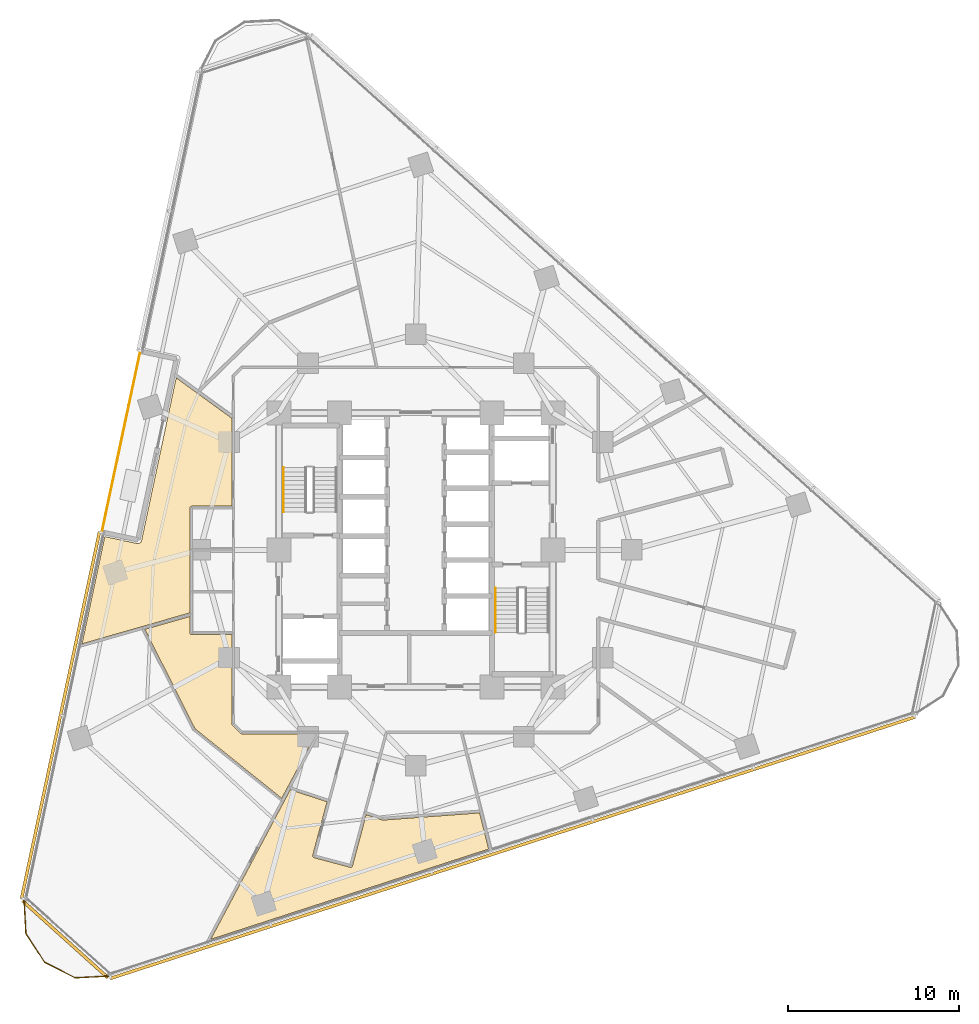
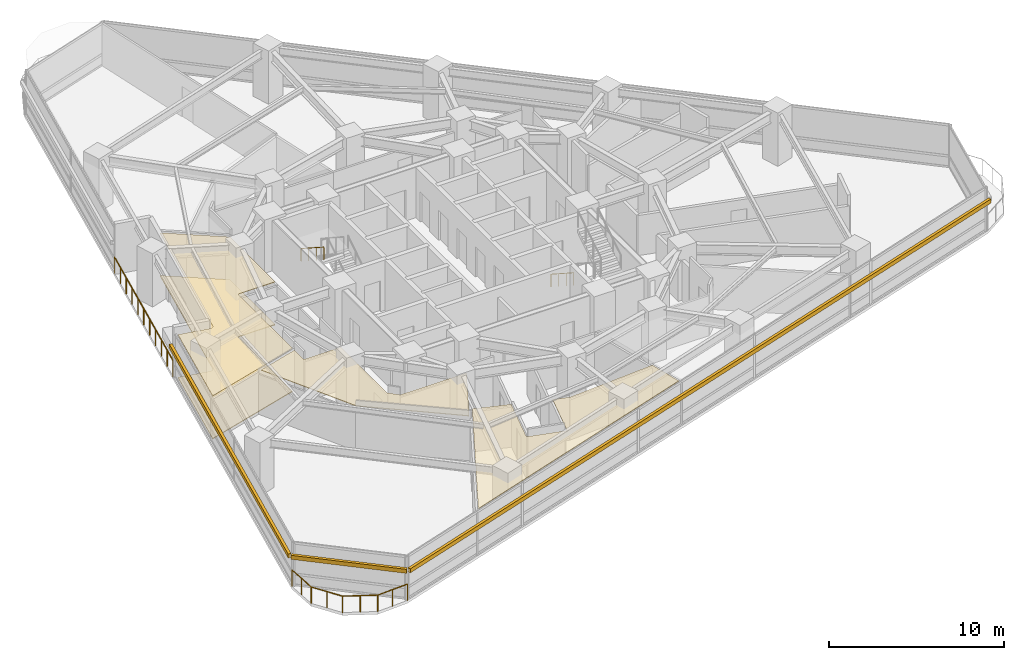
# One storey, part 12 of 14: 4 coverings, 4 railings, 3 shading devices.
"""IFC4 building model written with IfcOpenShell, lengths in metres."""

from ifc_helpers import new_model, si_unit, direction, frame, origin, origin_2d, place, context, subcontext, project, spatial, polyline, rectangle, circle, outline, extrude, material, layer, layer_set, type_object, element, save


model = new_model("IFC4")

# Units and contexts
model_context = context("Model", 3, precision=1e-05, world=origin(), true_north=direction((0.0, 1.0)))
body_context = subcontext(model_context, "Body", "Model", "MODEL_VIEW")
ifc_project = project(units=[si_unit("LENGTHUNIT", "METRE"), si_unit("AREAUNIT", "SQUARE_METRE"), si_unit("VOLUMEUNIT", "CUBIC_METRE"), si_unit("PLANEANGLEUNIT", "RADIAN"), si_unit("MASSUNIT", "GRAM", prefix="KILO")], contexts=[model_context])

# Site, building, storey
site_placement = place(None, origin())
site = spatial("IfcSite", under=ifc_project, at=site_placement, CompositionType="ELEMENT")
building_placement = place(site_placement, origin())
building = spatial("IfcBuilding", under=site, at=building_placement, Name="Terralouvre Media Tower", CompositionType="ELEMENT")
storey_placement = place(building_placement, frame((0.0, 0.0, 97.699951171875)))
storey = spatial("IfcBuildingStorey", under=building, at=storey_placement, Name="L24", CompositionType="ELEMENT", Elevation=97.699951171875)

# Coverings
ifc_material_1 = material(Name="Resilient elastomer acoustic broadcast studio flooring")
ifc_layer_1 = layer(ifc_material_1, 0.050048828125, Name="Broadcast Studio Acoustic Floating Floor FL-AC1")
ifc_layer_set_1 = layer_set([ifc_layer_1], Name="Resilient elastomer acoustic broadcast studio flooring")
covering_type_1 = type_object("IfcCoveringType", Name="Broadcast Studio Acoustic Floating Floor FL-AC1", PredefinedType="FLOORING", material=ifc_layer_set_1)
covering_1_placement = place(storey_placement, frame((0.0, 0.0, 0.0), z_axis=(0.0, 0.0, 1.0), x_axis=(0.951056516295, 0.309016994375, 0.0)))
element("IfcCovering", 1, at=covering_1_placement, inside=storey, type_object=covering_type_1, Name="L24 Documentary Archive Library 11 Acoustic Floating Floor", PredefinedType="FLOORING", context=body_context, shape_type="SweptSolid", body=[
    extrude(outline(polyline([(-13.69140625, 0.578369140625), (-11.796875, 6.4091796875), (-11.79345703125, 6.418212890625), (-11.7890625, 6.427001953125), (-11.78369140625, 6.435302734375), (-11.77783203125, 6.443115234375), (-11.77099609375, 6.4501953125), (-11.763671875, 6.456787109375), (-11.755615234375, 6.46240234375), (-11.7470703125, 6.46728515625), (-11.738037109375, 6.471435546875), (-11.72900390625, 6.474365234375), (-11.71923828125, 6.4765625), (-11.709716796875, 6.47802734375), (-11.69970703125, 6.478271484375), (-11.68994140625, 6.4775390625), (-11.680419921875, 6.475830078125), (-11.6708984375, 6.473388671875), (-9.435791015625, 5.7470703125), (-7.848388671875, 10.6328125), (-9.323486328125, 12.661865234375), (-10.209228515625, 13.8818359375), (-15.067626953125, 5.4658203125), (-15.070556640625, 5.4609375), (-15.076904296875, 5.451416015625), (-15.08154296875, 5.44482421875), (-15.0888671875, 5.435546875), (-15.093994140625, 5.4296875), (-15.10205078125, 5.420654296875), (-15.108642578125, 5.414306640625), (-15.11572265625, 5.408447265625), (-15.12548828125, 5.401123046875), (-15.12939453125, 5.398193359375), (-15.138916015625, 5.3916015625), (-15.14453125, 5.38818359375), (-15.15478515625, 5.382080078125), (-15.165283203125, 5.376708984375), (-15.17626953125, 5.3720703125), (-15.189453125, 5.3671875), (-15.19970703125, 5.3642578125), (-15.204345703125, 5.36328125), (-15.2158203125, 5.360595703125), (-15.22705078125, 5.358642578125), (-15.239013671875, 5.357177734375), (-15.246826171875, 5.356689453125), (-15.258544921875, 5.356201171875), (-15.268798828125, 5.3564453125), (-15.281005859375, 5.357421875), (-15.288818359375, 5.358154296875), (-15.29638671875, 5.359619140625), (-15.30712890625, 5.362060546875), (-15.307861328125, 5.362060546875), (-15.319580078125, 5.364990234375), (-15.32763671875, 5.3671875), (-15.33544921875, 5.3701171875), (-15.346435546875, 5.374755859375), (-15.35400390625, 5.378173828125), (-15.36474609375, 5.3837890625), (-15.36865234375, 5.385986328125), (-17.03955078125, 6.350830078125), (-20.23974609375, 0.806884765625), (-16.597900390625, 0.679443359375), (-13.69140625, 0.578369140625)])), origin(), (0.0, 0.0, 1.0), 0.050048828125),
])
ifc_material_2 = material(Name="Perforated aluminium acoustic ceiling baffle", Category="aluminium")
ifc_layer_2 = layer(ifc_material_2, 0.0400390625, Name="Perforated Acoustic Metal Tile Ceiling CL-AC1")
ifc_layer_set_2 = layer_set([ifc_layer_2], Name="Perforated aluminium acoustic ceiling baffle")
covering_type_2 = type_object("IfcCoveringType", Name="Perforated Acoustic Metal Tile Ceiling CL-AC1", PredefinedType="CEILING", material=ifc_layer_set_2)
covering_2_placement = place(storey_placement, frame((0.0, 0.0, 2.97998046875), z_axis=(0.0, 0.0, 1.0), x_axis=(0.951056516295, 0.309016994375, 0.0)))
element("IfcCovering", 2, at=covering_2_placement, inside=storey, type_object=covering_type_2, Name="L24 Grading Client Lounge 3 Acoustic Ceiling", PredefinedType="CEILING", context=body_context, shape_type="SweptSolid", body=[
    extrude(outline(polyline([(-6.701416015625, -14.41650390625), (-6.7109375, -14.41357421875), (-6.719970703125, -14.409912109375), (-6.728515625, -14.4052734375), (-6.73681640625, -14.39990234375), (-7.5390625, -13.8125), (-9.232421875, -16.420654296875), (-9.23828125, -16.428466796875), (-9.24462890625, -16.435791015625), (-9.251953125, -16.442626953125), (-9.259765625, -16.448486328125), (-9.26806640625, -16.45361328125), (-9.27685546875, -16.4580078125), (-9.2861328125, -16.46142578125), (-9.295654296875, -16.4638671875), (-9.30517578125, -16.465576171875), (-9.31494140625, -16.466064453125), (-9.324951171875, -16.4658203125), (-9.33447265625, -16.46435546875), (-9.343994140625, -16.462158203125), (-9.353515625, -16.458984375), (-9.3623046875, -16.454833984375), (-9.370849609375, -16.449951171875), (-11.216064453125, -15.252197265625), (-11.223876953125, -15.246337890625), (-11.231201171875, -15.239990234375), (-11.238037109375, -15.232666015625), (-11.243896484375, -15.224853515625), (-11.2490234375, -15.216552734375), (-11.25341796875, -15.207763671875), (-11.2568359375, -15.198486328125), (-11.25927734375, -15.18896484375), (-11.260986328125, -15.179443359375), (-11.261474609375, -15.169677734375), (-11.26123046875, -15.15966796875), (-11.259765625, -15.150146484375), (-11.257568359375, -15.140625), (-11.25439453125, -15.13134765625), (-11.25048828125, -15.122314453125), (-11.245361328125, -15.11376953125), (-9.4775390625, -12.39013671875), (-11.302001953125, -11.052734375), (-11.880126953125, -11.611083984375), (-18.42578125, -17.93212890625), (-1.354248046875, -17.931884765625), (-1.2021484375, -15.761962890625), (-6.701416015625, -14.41650390625)])), origin(), (0.0, 0.0, 1.0), 0.0400390625),
])
covering_3_placement = place(storey_placement, frame((0.0, 0.0, 2.97998046875), z_axis=(0.0, 0.0, 1.0), x_axis=(0.951056516295, 0.309016994375, 0.0)))
element("IfcCovering", 3, at=covering_3_placement, inside=storey, type_object=covering_type_2, Name="L24 Storyboarding Conference Room 5 Acoustic Ceiling", PredefinedType="CEILING", context=body_context, shape_type="SweptSolid", body=[
    extrude(outline(polyline([(-13.99755859375, -0.656005859375), (-14.00634765625, -0.65185546875), (-14.0146484375, -0.646484375), (-14.0224609375, -0.640625), (-14.029541015625, -0.6337890625), (-14.0361328125, -0.62646484375), (-14.041748046875, -0.618408203125), (-14.046630859375, -0.60986328125), (-14.05078125, -0.600830078125), (-14.0537109375, -0.591796875), (-14.055908203125, -0.58203125), (-14.057373046875, -0.572265625), (-14.0576171875, -0.5625), (-14.056884765625, -0.552734375), (-14.05517578125, -0.54296875), (-14.052734375, -0.53369140625), (-13.755615234375, 0.380615234375), (-16.484130859375, 0.475341796875), (-15.4951171875, -5.948486328125), (-11.93212890625, -11.38330078125), (-11.380126953125, -10.850341796875), (-8.865966796875, -8.42236328125), (-12.97509765625, -7.08740234375), (-12.984375, -7.083740234375), (-12.9931640625, -7.07958984375), (-13.00146484375, -7.07421875), (-13.00927734375, -7.068359375), (-13.016357421875, -7.0615234375), (-13.022705078125, -7.05419921875), (-13.0283203125, -7.046142578125), (-13.033447265625, -7.03759765625), (-13.354248046875, -6.407470703125), (-13.3583984375, -6.398681640625), (-13.361572265625, -6.389404296875), (-13.36376953125, -6.379638671875), (-13.364990234375, -6.3701171875), (-13.365234375, -6.360107421875), (-13.364501953125, -6.350341796875), (-13.363037109375, -6.3408203125), (-13.3603515625, -6.331298828125), (-11.75341796875, -1.3857421875), (-13.988525390625, -0.65966796875), (-13.99755859375, -0.656005859375)])), origin(), (0.0, 0.0, 1.0), 0.0400390625),
])
covering_4_placement = place(storey_placement, frame((0.0, 0.0, 2.97998046875), z_axis=(0.0, 0.0, 1.0), x_axis=(0.951056516295, 0.309016994375, 0.0)))
element("IfcCovering", 4, at=covering_4_placement, inside=storey, type_object=covering_type_2, Name="L24 Documentary Archive Library 11 Acoustic Ceiling", PredefinedType="CEILING", context=body_context, shape_type="SweptSolid", body=[
    extrude(outline(polyline([(-13.69140625, 0.578369140625), (-11.796875, 6.4091796875), (-11.79345703125, 6.418212890625), (-11.7890625, 6.427001953125), (-11.78369140625, 6.435302734375), (-11.77783203125, 6.443115234375), (-11.77099609375, 6.4501953125), (-11.763671875, 6.456787109375), (-11.755615234375, 6.46240234375), (-11.7470703125, 6.46728515625), (-11.738037109375, 6.471435546875), (-11.72900390625, 6.474365234375), (-11.71923828125, 6.4765625), (-11.709716796875, 6.47802734375), (-11.69970703125, 6.478271484375), (-11.68994140625, 6.4775390625), (-11.680419921875, 6.475830078125), (-11.6708984375, 6.473388671875), (-9.435791015625, 5.7470703125), (-7.848388671875, 10.6328125), (-9.323486328125, 12.661865234375), (-10.209228515625, 13.8818359375), (-15.067626953125, 5.4658203125), (-15.070556640625, 5.4609375), (-15.076904296875, 5.451416015625), (-15.08154296875, 5.44482421875), (-15.0888671875, 5.435546875), (-15.093994140625, 5.4296875), (-15.10205078125, 5.420654296875), (-15.108642578125, 5.414306640625), (-15.11572265625, 5.408447265625), (-15.12548828125, 5.401123046875), (-15.12939453125, 5.398193359375), (-15.138916015625, 5.3916015625), (-15.14453125, 5.38818359375), (-15.15478515625, 5.382080078125), (-15.165283203125, 5.376708984375), (-15.17626953125, 5.3720703125), (-15.189453125, 5.3671875), (-15.19970703125, 5.3642578125), (-15.204345703125, 5.36328125), (-15.2158203125, 5.360595703125), (-15.22705078125, 5.358642578125), (-15.239013671875, 5.357177734375), (-15.246826171875, 5.356689453125), (-15.258544921875, 5.356201171875), (-15.268798828125, 5.3564453125), (-15.281005859375, 5.357421875), (-15.288818359375, 5.358154296875), (-15.29638671875, 5.359619140625), (-15.30712890625, 5.362060546875), (-15.307861328125, 5.362060546875), (-15.319580078125, 5.364990234375), (-15.32763671875, 5.3671875), (-15.33544921875, 5.3701171875), (-15.346435546875, 5.374755859375), (-15.35400390625, 5.378173828125), (-15.36474609375, 5.3837890625), (-15.36865234375, 5.385986328125), (-17.03955078125, 6.350830078125), (-20.23974609375, 0.806884765625), (-16.597900390625, 0.679443359375), (-13.69140625, 0.578369140625)])), origin(), (0.0, 0.0, 1.0), 0.0400390625),
])

# Railings
ifc_material_3 = material(Name="Stainless steel 316 handrail and balustrade", Category="steel")
ifc_layer_3 = layer(ifc_material_3, 0.06005859375, Name="Roof Edge Safety Guardrail GR-ROOF1")
ifc_layer_set_3 = layer_set([ifc_layer_3], Name="Stainless steel 316 handrail and balustrade")
railing_type_1 = type_object("IfcRailingType", Name="Roof Edge Safety Guardrail GR-ROOF1", PredefinedType="GUARDRAIL", material=ifc_layer_set_3)
railing_1_placement = place(storey_placement, frame((-16.092041015625, 11.59912109375, 0.0)))
element("IfcRailing", 5, at=railing_1_placement, inside=storey, type_object=railing_type_1, Name="L24 SG Outer Edge Glass Balustrade", PredefinedType="GUARDRAIL", context=body_context, shape_type="SweptSolid", body=[
    extrude(circle(Radius=0.02392578125, at=origin_2d()), frame((0.0, 0.0, 1.1259765625), z_axis=(-0.207926345708, -0.978144485626, 0.0), x_axis=(0.978144485626, -0.207926345708, 0.0)), (0.0, 0.0, 1.0), 10.800048828125),
    extrude(circle(Radius=0.02099609375, at=origin_2d()), origin(), (0.0, 0.0, 1.0), 1.101806640625),
    extrude(circle(Radius=0.02099609375, at=origin_2d()), frame((-0.224609375, -1.056396484375, 0.0)), (0.0, 0.0, 1.0), 1.101806640625),
    extrude(circle(Radius=0.02099609375, at=origin_2d()), frame((-0.44921875, -2.11279296875, 0.0)), (0.0, 0.0, 1.0), 1.101806640625),
    extrude(circle(Radius=0.02099609375, at=origin_2d()), frame((-0.673583984375, -3.169189453125, 0.0)), (0.0, 0.0, 1.0), 1.101806640625),
    extrude(circle(Radius=0.02099609375, at=origin_2d()), frame((-0.898193359375, -4.2255859375, 0.0)), (0.0, 0.0, 1.0), 1.101806640625),
    extrude(circle(Radius=0.02099609375, at=origin_2d()), frame((-1.122802734375, -5.281982421875, 0.0)), (0.0, 0.0, 1.0), 1.101806640625),
    extrude(circle(Radius=0.02099609375, at=origin_2d()), frame((-1.347412109375, -6.33837890625, 0.0)), (0.0, 0.0, 1.0), 1.101806640625),
    extrude(circle(Radius=0.02099609375, at=origin_2d()), frame((-1.572021484375, -7.394775390625, 0.0)), (0.0, 0.0, 1.0), 1.101806640625),
    extrude(circle(Radius=0.02099609375, at=origin_2d()), frame((-1.79638671875, -8.451171875, 0.0)), (0.0, 0.0, 1.0), 1.101806640625),
    extrude(circle(Radius=0.02099609375, at=origin_2d()), frame((-2.02099609375, -9.507568359375, 0.0)), (0.0, 0.0, 1.0), 1.101806640625),
    extrude(circle(Radius=0.02099609375, at=origin_2d()), frame((-2.24560546875, -10.56396484375, 0.0)), (0.0, 0.0, 1.0), 1.101806640625),
])
railing_2_placement = place(storey_placement, frame((-22.8837890625, -20.395751953125, 0.0)))
element("IfcRailing", 6, at=railing_2_placement, inside=storey, type_object=railing_type_1, Name="L24 Wind-Corner Perimeter Safety Guardrail C0", PredefinedType="GUARDRAIL", context=body_context, shape_type="SweptSolid", body=[
    extrude(circle(Radius=0.02099609375, at=origin_2d()), frame((0.0, 0.0, 1.12890625), z_axis=(0.05204188706, -0.998644902851, 0.0), x_axis=(0.998644902851, 0.05204188706, 0.0)), (0.0, 0.0, 1.0), 2.0078125),
    extrude(circle(Radius=0.02099609375, at=origin_2d()), frame((0.1044921875, -2.005126953125, 1.12890625), z_axis=(0.544556562485, -0.838724120468, 0.0), x_axis=(0.838724120468, 0.544556562485, 0.0)), (0.0, 0.0, 1.0), 2.007568359375),
    extrude(circle(Radius=0.02099609375, at=origin_2d()), frame((1.19775390625, -3.68896484375, 1.12890625), z_axis=(0.891070121909, -0.453865660566, 0.0), x_axis=(0.453865660566, 0.891070121909, 0.0)), (0.0, 0.0, 1.0), 2.007568359375),
    extrude(circle(Radius=0.02099609375, at=origin_2d()), frame((2.986572265625, -4.60009765625, 1.12890625), z_axis=(0.998619508244, 0.052526924091, 0.0), x_axis=(-0.052526924091, 0.998619508244, 0.0)), (0.0, 0.0, 1.0), 2.0078125),
    extrude(circle(Radius=0.01904296875, at=origin_2d()), origin(), (0.0, 0.0, 1.0), 1.10791015625),
    extrude(circle(Radius=0.01904296875, at=origin_2d()), frame((0.05224609375, -1.00244140625, 0.0)), (0.0, 0.0, 1.0), 1.10791015625),
    extrude(circle(Radius=0.01904296875, at=origin_2d()), frame((0.1044921875, -2.005126953125, 0.0)), (0.0, 0.0, 1.0), 1.10791015625),
    extrude(circle(Radius=0.01904296875, at=origin_2d()), frame((0.651123046875, -2.84716796875, 0.0)), (0.0, 0.0, 1.0), 1.10791015625),
    extrude(circle(Radius=0.01904296875, at=origin_2d()), frame((1.19775390625, -3.68896484375, 0.0)), (0.0, 0.0, 1.0), 1.10791015625),
    extrude(circle(Radius=0.01904296875, at=origin_2d()), frame((2.09228515625, -4.14453125, 0.0)), (0.0, 0.0, 1.0), 1.10791015625),
    extrude(circle(Radius=0.01904296875, at=origin_2d()), frame((2.986572265625, -4.60009765625, 0.0)), (0.0, 0.0, 1.0), 1.10791015625),
    extrude(circle(Radius=0.01904296875, at=origin_2d()), frame((3.9892578125, -4.54736328125, 0.0)), (0.0, 0.0, 1.0), 1.10791015625),
    extrude(circle(Radius=0.01904296875, at=origin_2d()), frame((4.99169921875, -4.49462890625, 0.0)), (0.0, 0.0, 1.0), 1.10791015625),
])
ifc_material_4 = material(Name="Stainless steel 316 handrail and balustrade", Category="steel")
ifc_layer_4 = layer(ifc_material_4, 0.050048828125, Name="Stair Flight Wall Handrail HR-INT1")
ifc_layer_set_4 = layer_set([ifc_layer_4], Name="Stainless steel 316 handrail and balustrade")
railing_type_2 = type_object("IfcRailingType", Name="Stair Flight Wall Handrail HR-INT1", PredefinedType="HANDRAIL", material=ifc_layer_set_4)
railing_3_placement = place(storey_placement, frame((-7.72998046875, 4.820068359375, 2.018310546875)))
element("IfcRailing", 7, at=railing_3_placement, inside=storey, type_object=railing_type_2, Name="L24 ST-01 stair handrail 2", PredefinedType="HANDRAIL", context=body_context, shape_type="SweptSolid", body=[
    extrude(circle(Radius=0.02392578125, at=origin_2d()), frame((0.0, 0.0, 0.8759765625), z_axis=(0.0, -0.839684365666, 0.543074733399), x_axis=(1.0, 0.0, 0.0)), (0.0, 0.0, 1.0), 3.096435546875),
    extrude(circle(Radius=0.02099609375, at=origin_2d()), origin(), (0.0, 0.0, 1.0), 0.851806640625),
    extrude(circle(Radius=0.02099609375, at=origin_2d()), frame((0.0, -0.86669921875, 0.560546875)), (0.0, 0.0, 1.0), 0.851806640625),
    extrude(circle(Radius=0.02099609375, at=origin_2d()), frame((0.0, -1.7333984375, 1.12109375)), (0.0, 0.0, 1.0), 0.851806640625),
    extrude(circle(Radius=0.02099609375, at=origin_2d()), frame((0.0, -2.60009765625, 1.681640625)), (0.0, 0.0, 1.0), 0.851806640625),
])
railing_4_placement = place(storey_placement, frame((4.64990234375, -2.219970703125, 0.168212890625)))
element("IfcRailing", 8, at=railing_4_placement, inside=storey, type_object=railing_type_2, Name="L24 ST-02 stair handrail 1", PredefinedType="HANDRAIL", context=body_context, shape_type="SweptSolid", body=[
    extrude(circle(Radius=0.02392578125, at=origin_2d()), frame((0.0, 0.0, 0.8759765625), z_axis=(0.0, -0.839648411786, 0.543130320075), x_axis=(1.0, 0.0, 0.0)), (0.0, 0.0, 1.0), 3.0966796875),
    extrude(circle(Radius=0.02099609375, at=origin_2d()), origin(), (0.0, 0.0, 1.0), 0.851806640625),
    extrude(circle(Radius=0.02099609375, at=origin_2d()), frame((0.0, -0.86669921875, 0.560546875)), (0.0, 0.0, 1.0), 0.851806640625),
    extrude(circle(Radius=0.02099609375, at=origin_2d()), frame((0.0, -1.7333984375, 1.121337890625)), (0.0, 0.0, 1.0), 0.851806640625),
    extrude(circle(Radius=0.02099609375, at=origin_2d()), frame((0.0, -2.60009765625, 1.681884765625)), (0.0, 0.0, 1.0), 0.851806640625),
])

# Shading devices
ifc_material_5 = material(Name="Extruded terracotta baguette sunshade louvres", Category="masonry")
shading_device_type = type_object("IfcShadingDeviceType", Name="Terracotta Baguette Sunshade Louvre Screen TB-LV1", PredefinedType="USERDEFINED", material=ifc_material_5)
shading_device_1_placement = place(storey_placement, frame((5.652587890625, -17.396728515625, 2.02392578125), z_axis=(0.0, 0.0, 1.0), x_axis=(0.951056509451, 0.309017015439, 0.0)))
element("IfcShadingDevice", 9, at=shading_device_1_placement, inside=storey, type_object=shading_device_type, Name="CW-L24-F0 Terracotta Baguette Sunshade Louvre", ObjectType="BAGUETTE", PredefinedType="USERDEFINED", context=body_context, shape_type="SweptSolid", body=[
    extrude(rectangle(XDim=49.43994140625, YDim=0.179931640625, at=origin_2d()), origin(), (0.0, 0.0, 1.0), 0.280029296875),
])
shading_device_2_placement = place(storey_placement, frame((-20.753173828125, -9.65625, 2.02392578125), z_axis=(0.0, 0.0, 1.0), x_axis=(-0.207911211217, -0.978147702676, 0.0)))
element("IfcShadingDevice", 10, at=shading_device_2_placement, inside=storey, type_object=shading_device_type, Name="CW-L24-F2R Terracotta Baguette Sunshade Louvre", ObjectType="BAGUETTE", PredefinedType="USERDEFINED", context=body_context, shape_type="SweptSolid", body=[
    extrude(rectangle(XDim=21.919921875, YDim=0.179931640625, at=origin_2d()), origin(), (0.0, 0.0, 1.0), 0.280029296875),
])
shading_device_3_placement = place(storey_placement, frame((-20.478271484375, -22.743408203125, 2.02392578125), z_axis=(0.0, 0.0, 1.0), x_axis=(0.743144668471, -0.669130780732, 0.0)))
element("IfcShadingDevice", 11, at=shading_device_3_placement, inside=storey, type_object=shading_device_type, Name="CW-L24-C0 Terracotta Baguette Sunshade Louvre", ObjectType="BAGUETTE", PredefinedType="USERDEFINED", context=body_context, shape_type="SweptSolid", body=[
    extrude(rectangle(XDim=6.720458984375, YDim=0.179931640625, at=origin_2d()), origin(), (0.0, 0.0, 1.0), 0.280029296875),
])

save(model, "model.ifc")
